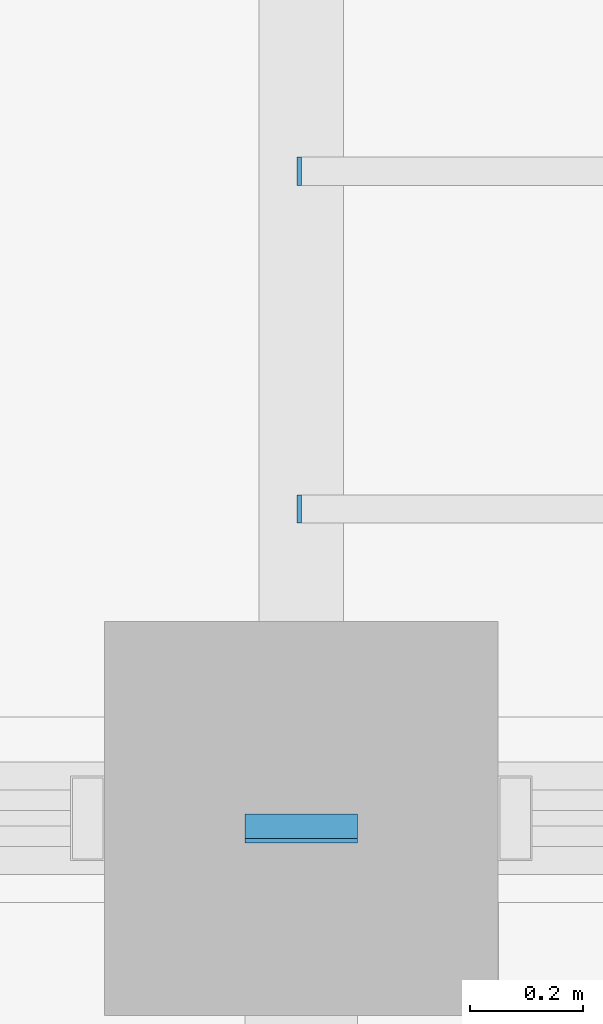
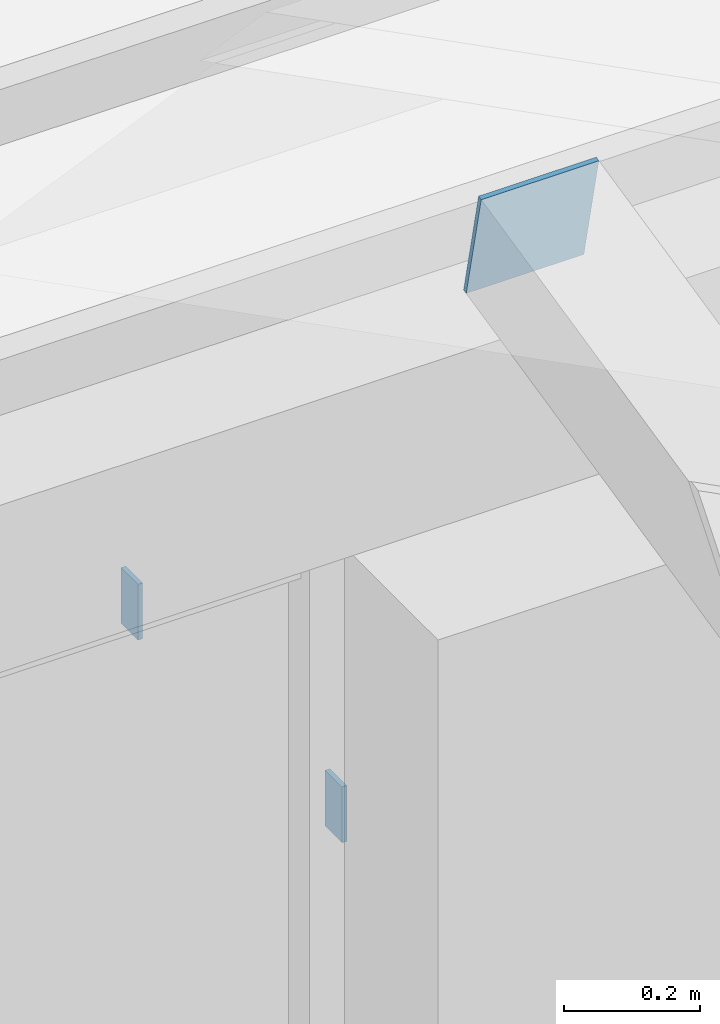
# One storey, part 44 of 51: 3 discrete accessories.
"""IFC4 building model written with IfcOpenShell, lengths in metres."""

from ifc_helpers import new_model, si_unit, direction, frame, origin, origin_2d, place, context, subcontext, project, spatial, rectangle, extrude, material, material_profile, profile_set, type_object, element, save


model = new_model("IFC4")

# Units and contexts
model_context = context("Model", 3, precision=1e-05, world=origin(), true_north=direction((0.0, 1.0)))
body_context = subcontext(model_context, "Body", "Model", "MODEL_VIEW")
ifc_project = project(units=[si_unit("LENGTHUNIT", "METRE"), si_unit("AREAUNIT", "SQUARE_METRE"), si_unit("VOLUMEUNIT", "CUBIC_METRE"), si_unit("PLANEANGLEUNIT", "RADIAN"), si_unit("MASSUNIT", "GRAM", prefix="KILO")], contexts=[model_context])

# Site, building, storey
site_placement = place(None, origin())
site = spatial("IfcSite", under=ifc_project, at=site_placement, CompositionType="ELEMENT")
building_placement = place(site_placement, origin())
building = spatial("IfcBuilding", under=site, at=building_placement, Name="Laocheng Heights Fire and Rescue Headquarters", CompositionType="ELEMENT")
storey_placement = place(building_placement, frame((0.0, 0.0, 21.0)))
storey = spatial("IfcBuildingStorey", under=building, at=storey_placement, Name="L05", CompositionType="ELEMENT", Elevation=21.0)

# Discrete accessories
ifc_material_1 = material(Name="Steel Q355B", Category="steel")
ifc_material_profile_1 = material_profile(ifc_material_1, rectangle(XDim=0.199951171875, YDim=0.199951171875, at=origin_2d()), Name="END CAP PLATE 200 x 200 x 8 FOR SHS 200x200x8 RAFTER")
ifc_profile_set_1 = profile_set([ifc_material_profile_1], Name="Steel Q355B")
discrete_accessory_type_1 = type_object("IfcDiscreteAccessoryType", Name="END CAP PLATE 200 x 200 x 8 FOR SHS 200x200x8 RAFTER", PredefinedType="BRACKET", material=ifc_profile_set_1)
discrete_accessory_placement = place(storey_placement, frame((102.0, 50.385986328125, 4.135986328125), z_axis=(0.0, -0.975441002068, -0.220260871435), x_axis=(1.0, 0.0, 0.0)))
element("IfcDiscreteAccessory", 1, at=discrete_accessory_placement, inside=storey, type_object=discrete_accessory_type_1, Name="Cap plate at Butterfly rafter N 102 end 1", PredefinedType="BRACKET", context=body_context, shape_type="SweptSolid", body=[
    extrude(rectangle(XDim=0.199951171875, YDim=0.199951171875, at=origin_2d()), origin(), (0.0, 0.0, 1.0), 0.0078125),
])
ifc_material_2 = material(Name="Steel Q355B", Category="steel")
ifc_material_profile_2 = material_profile(ifc_material_2, rectangle(XDim=0.050048828125, YDim=0.10009765625, at=origin_2d()), Name="END CAP PLATE 50 x 100 x 8 FOR STEEL TRELLIS JOIST RHS 100x50x4")
ifc_profile_set_2 = profile_set([ifc_material_profile_2], Name="Steel Q355B")
discrete_accessory_type_2 = type_object("IfcDiscreteAccessoryType", Name="END CAP PLATE 50 x 100 x 8 FOR STEEL TRELLIS JOIST RHS 100x50x4", PredefinedType="BRACKET", material=ifc_profile_set_2)
for number, where, z_axis, x_axis, name in (
    (2, (101.991943359375, 50.949951171875, 2.75), (1.0, 0.0, 0.0), (0.0, 1.0, 0.0), "Cap plate at Trellis crew garden joist end 1"),
    (3, (101.991943359375, 51.550048828125, 2.75), (1.0, 0.0, 0.0), (0.0, 1.0, 0.0), "Cap plate at Trellis crew garden joist end 1"),
):
    element("IfcDiscreteAccessory", number, at=place(storey_placement, frame(where, z_axis=z_axis, x_axis=x_axis)), inside=storey, type_object=discrete_accessory_type_2, Name=name, PredefinedType="BRACKET", context=body_context, shape_type="SweptSolid", body=[
        extrude(rectangle(XDim=0.050048828125, YDim=0.10009765625, at=origin_2d()), origin(), (0.0, 0.0, 1.0), 0.008056640625),
    ])

save(model, "model.ifc")
